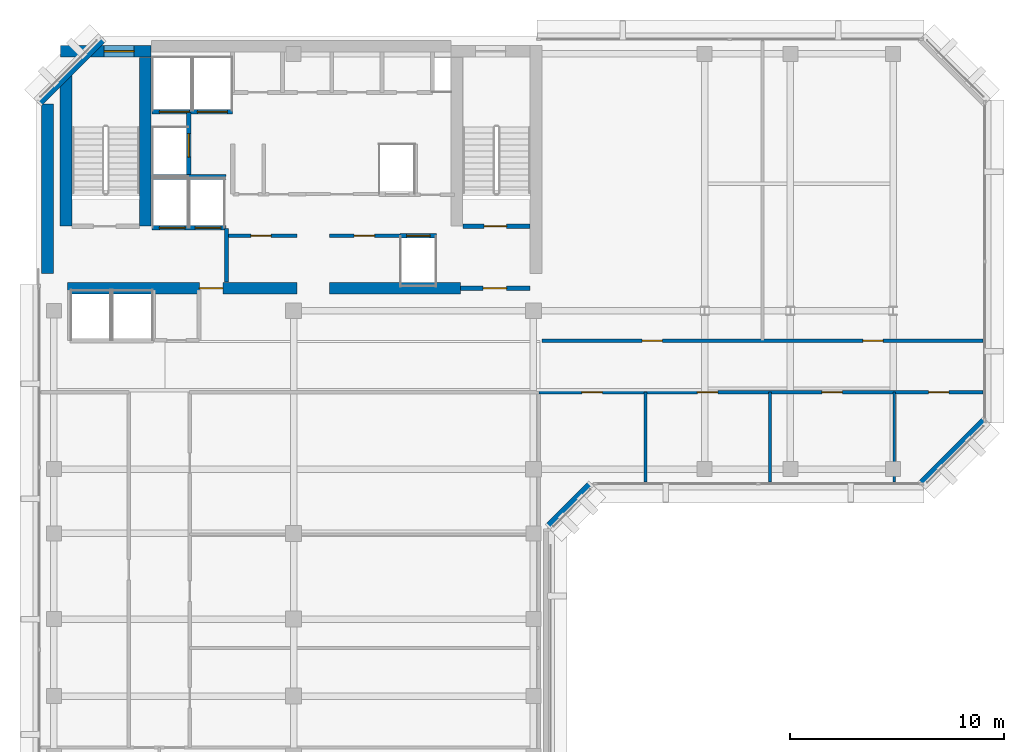
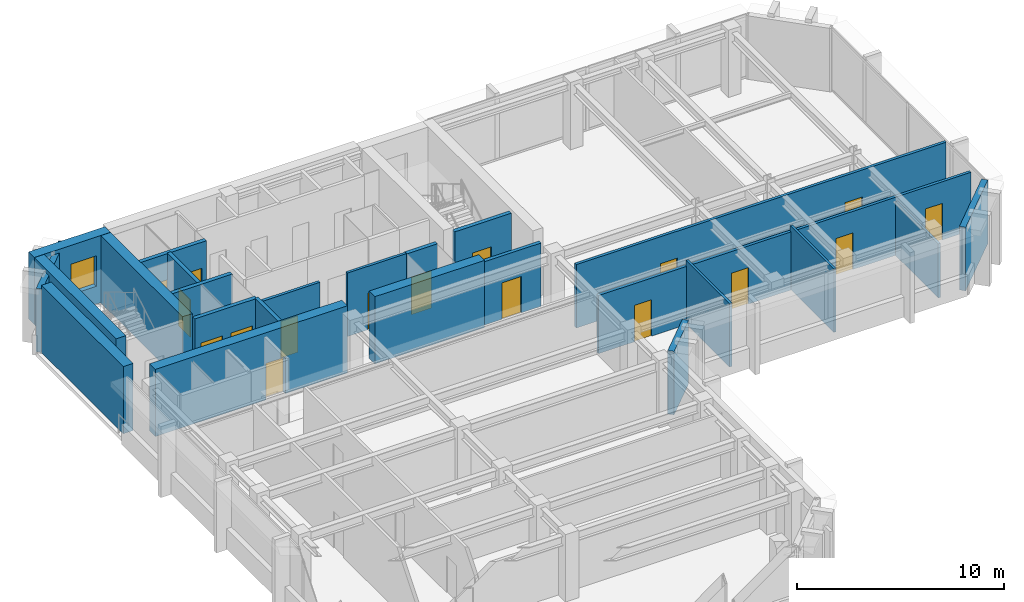
# One storey, part 7 of 12: 24 walls, 17 doors, 1 window, 18 openings.
"""IFC4 building model written with IfcOpenShell, lengths in metres."""

from ifc_helpers import new_model, si_unit, direction, frame, frame_2d, origin, place, context, subcontext, project, spatial, rectangle, extrude, material, layer, layer_set, type_object, element, fill, save


model = new_model("IFC4")

# Units and contexts
model_context = context("Model", 3, precision=1e-05, world=origin(), true_north=direction((0.0, 1.0)))
body_context = subcontext(model_context, "Body", "Model", "MODEL_VIEW")
ifc_project = project(units=[si_unit("LENGTHUNIT", "METRE"), si_unit("AREAUNIT", "SQUARE_METRE"), si_unit("VOLUMEUNIT", "CUBIC_METRE"), si_unit("PLANEANGLEUNIT", "RADIAN"), si_unit("MASSUNIT", "GRAM", prefix="KILO")], contexts=[model_context])

# Site, building, storey
site_placement = place(None, origin())
site = spatial("IfcSite", under=ifc_project, at=site_placement, CompositionType="ELEMENT")
building_placement = place(site_placement, origin())
building = spatial("IfcBuilding", under=site, at=building_placement, Name="Kefirva Bronze Tower", CompositionType="ELEMENT")
storey_placement = place(building_placement, frame((0.0, 0.0, 280.169921875)))
storey = spatial("IfcBuildingStorey", under=building, at=storey_placement, Name="L68", CompositionType="ELEMENT", Elevation=280.169921875)

# Walls
ifc_material_1 = material(Name="Gypsum acoustic partition")
ifc_layer_1 = layer(ifc_material_1, 0.1298828125, Name="Gypsum acoustic partition")
ifc_layer_set_1 = layer_set([ifc_layer_1], Name="Gypsum acoustic partition")
wall_type_1 = type_object("IfcWallType", Name="Acoustic Office Partition 130mm", PredefinedType="PARTITIONING", material=ifc_layer_set_1)
for number, where, z_axis, x_axis, name in (
    (1, (28.432373046875, 25.18994140625, 0.0), (0.0, 0.0, 1.0), (0.0, 1.0, 0.0), "L68 Partition W-L68-ESD1"),
    (2, (34.2451171875, 25.18994140625, 0.0), (0.0, 0.0, 1.0), (0.0, 1.0, 0.0), "L68 Partition W-L68-ESD2"),
):
    element("IfcWall", number, at=place(storey_placement, frame(where, z_axis=z_axis, x_axis=x_axis)), inside=storey, type_object=wall_type_1, Name=name, PredefinedType="PARTITIONING", context=body_context, shape_type="SweptSolid", body=[
        extrude(rectangle(XDim=4.2099609375, YDim=0.1298828125, at=frame_2d((2.10498046875, 0.0))), origin(), (0.0, 0.0, 1.0), 3.739990234375),
    ])
wall_1_placement = place(storey_placement, frame((40.05810546875, 25.18994140625, 0.0), z_axis=(0.0, 0.0, 1.0), x_axis=(0.0, 1.0, 0.0)))
element("IfcWall", 3, at=wall_1_placement, inside=storey, type_object=wall_type_1, Name="L68 Partition W-L68-ESD3", PredefinedType="PARTITIONING", context=body_context, shape_type="SweptSolid", body=[
    extrude(rectangle(XDim=4.2099609375, YDim=0.1298828125, at=frame_2d((2.10498046875, 0.0))), origin(), (0.0, 0.0, 1.0), 3.175048828125),
])

# Wall, opening, door
ifc_layer_2 = layer(ifc_material_1, 0.14990234375, Name="Gypsum acoustic partition")
ifc_layer_set_2 = layer_set([ifc_layer_2], Name="Gypsum acoustic partition")
wall_type_2 = type_object("IfcWallType", Name="Executive Suite Partition 150mm", PredefinedType="PARTITIONING", material=ifc_layer_set_2)
wall_2_placement = place(storey_placement, frame((13.679931640625, 36.699951171875, 0.0), z_axis=(0.0, 0.0, 1.0), x_axis=(1.0, 0.0, 0.0)))
wall_2 = element("IfcWall", 4, at=wall_2_placement, inside=storey, type_object=wall_type_2, Name="L68 Partition W-L68-RECMP1", PredefinedType="PARTITIONING", context=body_context, shape_type="SweptSolid", body=[
    extrude(rectangle(XDim=3.280029296875, YDim=0.14990234375, at=frame_2d((1.64013671875, 0.0))), origin(), (0.0, 0.0, 1.0), 3.739990234375),
])
opening_1_placement = place(wall_2_placement, frame((1.14990234375, 0.0, 0.0)))
opening_1 = element("IfcOpeningElement", 5, at=opening_1_placement, cuts=wall_2, Name="Opening L68-D-RECMP1", PredefinedType="OPENING", context=body_context, shape_type="SweptSolid", body=[
    extrude(rectangle(XDim=0.949951171875, YDim=2.14990234375, at=frame_2d((0.47509765625, 1.074951171875))), frame((0.0, 0.0849609375, 0.0), z_axis=(0.0, -1.0, 0.0), x_axis=(1.0, 0.0, 0.0)), (0.0, 0.0, 1.0), 0.169921875),
])
ifc_material_2 = material(Name="Acoustic hardwood oak", Category="wood")
door_type_1 = type_object("IfcDoorType", Name="Office & Meeting Room Door 950x2150", OperationType="NOTDEFINED", PredefinedType="DOOR", material=ifc_material_2)
door_1_placement = place(opening_1_placement, origin())
door_1 = element("IfcDoor", 6, at=door_1_placement, inside=storey, type_object=door_type_1, Name="Door L68-D-RECMP1", OperationType="SINGLE_SWING_LEFT", OverallHeight=2.14990234375, OverallWidth=0.949951171875, PredefinedType="DOOR", context=body_context, shape_type="SweptSolid", body=[
    extrude(rectangle(XDim=0.949951171875, YDim=2.14990234375, at=frame_2d((0.47509765625, 1.074951171875))), frame((0.0, 0.02490234375, 0.0), z_axis=(0.0, -1.0, 0.0), x_axis=(1.0, 0.0, 0.0)), (0.0, 0.0, 1.0), 0.050048828125),
])
fill(opening_1, door_1)

ifc_material_3 = material(Name="Gypsum fireboard shaftwall")
ifc_layer_3 = layer(ifc_material_3, 0.219970703125, Name="Gypsum fireboard shaftwall")
ifc_layer_set_3 = layer_set([ifc_layer_3], Name="Gypsum fireboard shaftwall")
wall_type_3 = type_object("IfcWallType", Name="Fire-Rated Shaft Enclosure Wall 220mm", PredefinedType="PARTITIONING", material=ifc_layer_set_3)
wall_3_placement = place(storey_placement, frame((19.89990234375, 37.14990234375, 0.0), z_axis=(0.0, 0.0, 1.0), x_axis=(1.0, 0.0, 0.0)))
wall_3 = element("IfcWall", 7, at=wall_3_placement, inside=storey, type_object=wall_type_3, Name="L68 Partition W-L68-ST2S", PredefinedType="PARTITIONING", context=body_context, shape_type="SweptSolid", body=[
    extrude(rectangle(XDim=3.150146484375, YDim=0.219970703125, at=frame_2d((1.5751953125, 0.0))), origin(), (0.0, 0.0, 1.0), 3.739990234375),
])
opening_2_placement = place(wall_3_placement, frame((2.050048828125, 0.0, 0.0), z_axis=(0.0, 0.0, 1.0), x_axis=(-1.0, 0.0, 0.0)))
opening_2 = element("IfcOpeningElement", 8, at=opening_2_placement, cuts=wall_3, Name="Opening L68-D003", PredefinedType="OPENING", context=body_context, shape_type="SweptSolid", body=[
    extrude(rectangle(XDim=1.050048828125, YDim=2.14990234375, at=frame_2d((0.52490234375, 1.074951171875))), frame((0.0, 0.1201171875, 0.0), z_axis=(0.0, -1.0, 0.0), x_axis=(1.0, 0.0, 0.0)), (0.0, 0.0, 1.0), 0.239990234375),
])
ifc_material_4 = material(Name="Painted galvanized steel", Category="steel")
door_type_2 = type_object("IfcDoorType", Name="Fire Stair Enclosure Door 1050x2150 FD90S", OperationType="NOTDEFINED", PredefinedType="DOOR", material=ifc_material_4)
door_2_placement = place(opening_2_placement, origin())
door_2 = element("IfcDoor", 9, at=door_2_placement, inside=storey, type_object=door_type_2, Name="Door L68-D003", OperationType="SINGLE_SWING_RIGHT", OverallHeight=2.14990234375, OverallWidth=1.050048828125, PredefinedType="DOOR", context=body_context, shape_type="SweptSolid", body=[
    extrude(rectangle(XDim=1.050048828125, YDim=2.14990234375, at=frame_2d((0.52490234375, 1.074951171875))), frame((0.0, 0.02490234375, 0.0), z_axis=(0.0, -1.0, 0.0), x_axis=(1.0, 0.0, 0.0)), (0.0, 0.0, 1.0), 0.050048828125),
])
fill(opening_2, door_2)

# Wall, openings, doors
wall_4_placement = place(storey_placement, frame((5.3798828125, 37.080078125, 0.0), z_axis=(0.0, 0.0, 1.0), x_axis=(1.0, 0.0, 0.0)))
wall_4 = element("IfcWall", 10, at=wall_4_placement, inside=storey, type_object=wall_type_3, Name="L68 Partition W-L68-FFS", PredefinedType="PARTITIONING", context=body_context, shape_type="SweptSolid", body=[
    extrude(rectangle(XDim=3.460205078125, YDim=0.219970703125, at=frame_2d((1.72998046875, 0.0))), origin(), (0.0, 0.0, 1.0), 3.739990234375),
])
opening_3_placement = place(wall_4_placement, frame((1.550048828125, 0.0, 0.0), z_axis=(0.0, 0.0, 1.0), x_axis=(-1.0, 0.0, 0.0)))
opening_3 = element("IfcOpeningElement", 11, at=opening_3_placement, cuts=wall_4, Name="Opening L68-LD-FF1", PredefinedType="OPENING", context=body_context, shape_type="SweptSolid", body=[
    extrude(rectangle(XDim=1.199951171875, YDim=2.199951171875, at=frame_2d((0.60009765625, 1.10009765625))), frame((0.0, 0.1201171875, 0.0), z_axis=(0.0, -1.0, 0.0), x_axis=(1.0, 0.0, 0.0)), (0.0, 0.0, 1.0), 0.239990234375),
])
opening_4_placement = place(wall_4_placement, frame((3.219970703125, 0.0, 0.0), z_axis=(0.0, 0.0, 1.0), x_axis=(-1.0, 0.0, 0.0)))
opening_4 = element("IfcOpeningElement", 12, at=opening_4_placement, cuts=wall_4, Name="Opening L68-LD-FF2", PredefinedType="OPENING", context=body_context, shape_type="SweptSolid", body=[
    extrude(rectangle(XDim=1.199951171875, YDim=2.199951171875, at=frame_2d((0.60009765625, 1.10009765625))), frame((0.0, 0.1201171875, 0.0), z_axis=(0.0, -1.0, 0.0), x_axis=(1.0, 0.0, 0.0)), (0.0, 0.0, 1.0), 0.239990234375),
])
ifc_material_5 = material(Name="Stainless steel 316", Category="steel")
door_type_3 = type_object("IfcDoorType", Name="Firefighting Lift Sliding Door 1200x2200", OperationType="SLIDING_TO_RIGHT", PredefinedType="DOOR", material=ifc_material_5)
door_3_placement = place(opening_3_placement, origin())
door_3 = element("IfcDoor", 13, at=door_3_placement, inside=storey, type_object=door_type_3, Name="Door L68-LD-FF1", OperationType="SLIDING_TO_RIGHT", OverallHeight=2.199951171875, OverallWidth=1.199951171875, PredefinedType="DOOR", context=body_context, shape_type="SweptSolid", body=[
    extrude(rectangle(XDim=1.199951171875, YDim=2.199951171875, at=frame_2d((0.60009765625, 1.10009765625))), frame((0.0, 0.02490234375, 0.0), z_axis=(0.0, -1.0, 0.0), x_axis=(1.0, 0.0, 0.0)), (0.0, 0.0, 1.0), 0.050048828125),
])
fill(opening_3, door_3)
door_4_placement = place(opening_4_placement, origin())
door_4 = element("IfcDoor", 14, at=door_4_placement, inside=storey, type_object=door_type_3, Name="Door L68-LD-FF2", OperationType="SLIDING_TO_RIGHT", OverallHeight=2.199951171875, OverallWidth=1.199951171875, PredefinedType="DOOR", context=body_context, shape_type="SweptSolid", body=[
    extrude(rectangle(XDim=1.199951171875, YDim=2.199951171875, at=frame_2d((0.60009765625, 1.10009765625))), frame((0.0, 0.02490234375, 0.0), z_axis=(0.0, -1.0, 0.0), x_axis=(1.0, 0.0, 0.0)), (0.0, 0.0, 1.0), 0.050048828125),
])
fill(opening_4, door_4)

# Wall
wall_5_placement = place(storey_placement, frame((5.3798828125, 39.449951171875, 0.0), z_axis=(0.0, 0.0, 1.0), x_axis=(1.0, 0.0, 0.0)))
element("IfcWall", 15, at=wall_5_placement, inside=storey, type_object=wall_type_3, Name="L68 Partition W-L68-FFN", PredefinedType="PARTITIONING", context=body_context, shape_type="SweptSolid", body=[
    extrude(rectangle(XDim=3.460205078125, YDim=0.219970703125, at=frame_2d((1.72998046875, 0.0))), origin(), (0.0, 0.0, 1.0), 3.739990234375),
])

# Wall, openings, doors
wall_6_placement = place(storey_placement, frame((5.3798828125, 42.5, 0.0), z_axis=(0.0, 0.0, 1.0), x_axis=(1.0, 0.0, 0.0)))
wall_6 = element("IfcWall", 16, at=wall_6_placement, inside=storey, type_object=wall_type_3, Name="L68 Partition W-L68-SVS", PredefinedType="PARTITIONING", context=body_context, shape_type="SweptSolid", body=[
    extrude(rectangle(XDim=3.77001953125, YDim=0.219970703125, at=frame_2d((1.885009765625, 0.0))), origin(), (0.0, 0.0, 1.0), 3.739990234375),
])
opening_5_placement = place(wall_6_placement, frame((1.75, 0.0, 0.0), z_axis=(0.0, 0.0, 1.0), x_axis=(-1.0, 0.0, 0.0)))
opening_5 = element("IfcOpeningElement", 17, at=opening_5_placement, cuts=wall_6, Name="Opening L68-LD-SV1", PredefinedType="OPENING", context=body_context, shape_type="SweptSolid", body=[
    extrude(rectangle(XDim=1.39990234375, YDim=2.199951171875, at=frame_2d((0.699951171875, 1.10009765625))), frame((0.0, 0.1201171875, 0.0), z_axis=(0.0, -1.0, 0.0), x_axis=(1.0, 0.0, 0.0)), (0.0, 0.0, 1.0), 0.239990234375),
])
opening_6_placement = place(wall_6_placement, frame((3.52978515625, 0.0, 0.0), z_axis=(0.0, 0.0, 1.0), x_axis=(-1.0, 0.0, 0.0)))
opening_6 = element("IfcOpeningElement", 18, at=opening_6_placement, cuts=wall_6, Name="Opening L68-LD-SV2", PredefinedType="OPENING", context=body_context, shape_type="SweptSolid", body=[
    extrude(rectangle(XDim=1.39990234375, YDim=2.199951171875, at=frame_2d((0.699951171875, 1.10009765625))), frame((0.0, 0.1201171875, 0.0), z_axis=(0.0, -1.0, 0.0), x_axis=(1.0, 0.0, 0.0)), (0.0, 0.0, 1.0), 0.239990234375),
])
door_type_4 = type_object("IfcDoorType", Name="Goods Lift Bi-Parting Sliding Door 1400x2200", OperationType="SLIDING_TO_LEFT", PredefinedType="DOOR", material=ifc_material_5)
door_5_placement = place(opening_5_placement, origin())
door_5 = element("IfcDoor", 19, at=door_5_placement, inside=storey, type_object=door_type_4, Name="Door L68-LD-SV1", OperationType="SLIDING_TO_LEFT", OverallHeight=2.199951171875, OverallWidth=1.39990234375, PredefinedType="DOOR", context=body_context, shape_type="SweptSolid", body=[
    extrude(rectangle(XDim=1.39990234375, YDim=2.199951171875, at=frame_2d((0.699951171875, 1.10009765625))), frame((0.0, 0.02490234375, 0.0), z_axis=(0.0, -1.0, 0.0), x_axis=(1.0, 0.0, 0.0)), (0.0, 0.0, 1.0), 0.050048828125),
])
fill(opening_5, door_5)
door_6_placement = place(opening_6_placement, origin())
door_6 = element("IfcDoor", 20, at=door_6_placement, inside=storey, type_object=door_type_4, Name="Door L68-LD-SV2", OperationType="SLIDING_TO_LEFT", OverallHeight=2.199951171875, OverallWidth=1.39990234375, PredefinedType="DOOR", context=body_context, shape_type="SweptSolid", body=[
    extrude(rectangle(XDim=1.39990234375, YDim=2.199951171875, at=frame_2d((0.699951171875, 1.10009765625))), frame((0.0, 0.02490234375, 0.0), z_axis=(0.0, -1.0, 0.0), x_axis=(1.0, 0.0, 0.0)), (0.0, 0.0, 1.0), 0.050048828125),
])
fill(opening_6, door_6)

# Wall, opening, door
wall_7_placement = place(storey_placement, frame((7.10009765625, 39.52001953125, 0.0), z_axis=(0.0, 0.0, 1.0), x_axis=(0.0, 1.0, 0.0)))
wall_7 = element("IfcWall", 21, at=wall_7_placement, inside=storey, type_object=wall_type_3, Name="L68 Partition W-L68-HP3E", PredefinedType="PARTITIONING", context=body_context, shape_type="SweptSolid", body=[
    extrude(rectangle(XDim=2.929931640625, YDim=0.219970703125, at=frame_2d((1.46484375, 0.0))), origin(), (0.0, 0.0, 1.0), 3.739990234375),
])
opening_7_placement = place(wall_7_placement, frame((0.85009765625, 0.0, 0.0)))
opening_7 = element("IfcOpeningElement", 22, at=opening_7_placement, cuts=wall_7, Name="Opening L68-LD-HP3", PredefinedType="OPENING", context=body_context, shape_type="SweptSolid", body=[
    extrude(rectangle(XDim=1.10009765625, YDim=2.199951171875, at=frame_2d((0.550048828125, 1.10009765625))), frame((0.0, 0.1201171875, 0.0), z_axis=(0.0, -1.0, 0.0), x_axis=(1.0, 0.0, 0.0)), (0.0, 0.0, 1.0), 0.239990234375),
])
door_type_5 = type_object("IfcDoorType", Name="Passenger Lift Sliding Landing Door 1100x2200", OperationType="SLIDING_TO_LEFT", PredefinedType="DOOR", material=ifc_material_5)
door_7_placement = place(opening_7_placement, origin())
door_7 = element("IfcDoor", 23, at=door_7_placement, inside=storey, type_object=door_type_5, Name="Door L68-LD-HP3", OperationType="SLIDING_TO_LEFT", OverallHeight=2.199951171875, OverallWidth=1.10009765625, PredefinedType="DOOR", context=body_context, shape_type="SweptSolid", body=[
    extrude(rectangle(XDim=1.10009765625, YDim=2.199951171875, at=frame_2d((0.550048828125, 1.10009765625))), frame((0.0, 0.02490234375, 0.0), z_axis=(0.0, -1.0, 0.0), x_axis=(1.0, 0.0, 0.0)), (0.0, 0.0, 1.0), 0.050048828125),
])
fill(opening_7, door_7)

wall_8_placement = place(storey_placement, frame((16.97998046875, 36.699951171875, 0.0), z_axis=(0.0, 0.0, 1.0), x_axis=(1.0, 0.0, 0.0)))
wall_8 = element("IfcWall", 24, at=wall_8_placement, inside=storey, type_object=wall_type_3, Name="L68 Partition W-L68-HPS", PredefinedType="PARTITIONING", context=body_context, shape_type="SweptSolid", body=[
    extrude(rectangle(XDim=1.699951171875, YDim=0.219970703125, at=frame_2d((0.85009765625, 0.0))), origin(), (0.0, 0.0, 1.0), 3.739990234375),
])
opening_8_placement = place(wall_8_placement, frame((0.300048828125, 0.0, 0.0)))
opening_8 = element("IfcOpeningElement", 25, at=opening_8_placement, cuts=wall_8, Name="Opening L68-LD-HP1", PredefinedType="OPENING", context=body_context, shape_type="SweptSolid", body=[
    extrude(rectangle(XDim=1.10009765625, YDim=2.199951171875, at=frame_2d((0.550048828125, 1.10009765625))), frame((0.0, 0.1201171875, 0.0), z_axis=(0.0, -1.0, 0.0), x_axis=(1.0, 0.0, 0.0)), (0.0, 0.0, 1.0), 0.239990234375),
])
door_8_placement = place(opening_8_placement, origin())
door_8 = element("IfcDoor", 26, at=door_8_placement, inside=storey, type_object=door_type_5, Name="Door L68-LD-HP1", OperationType="SLIDING_TO_LEFT", OverallHeight=2.199951171875, OverallWidth=1.10009765625, PredefinedType="DOOR", context=body_context, shape_type="SweptSolid", body=[
    extrude(rectangle(XDim=1.10009765625, YDim=2.199951171875, at=frame_2d((0.550048828125, 1.10009765625))), frame((0.0, 0.02490234375, 0.0), z_axis=(0.0, -1.0, 0.0), x_axis=(1.0, 0.0, 0.0)), (0.0, 0.0, 1.0), 0.050048828125),
])
fill(opening_8, door_8)

# Wall
ifc_material_6 = material(Name="Gypsum fireboard barrier")
ifc_layer_4 = layer(ifc_material_6, 0.199951171875, Name="Gypsum fireboard barrier")
ifc_layer_set_4 = layer_set([ifc_layer_4], Name="Gypsum fireboard barrier")
wall_type_4 = type_object("IfcWallType", Name="Firefighting Lobby Barrier Wall 200mm", PredefinedType="PARTITIONING", material=ifc_layer_set_4)
wall_9_placement = place(storey_placement, frame((8.860107421875, 34.550048828125, 0.0), z_axis=(0.0, 0.0, 1.0), x_axis=(0.0, 1.0, 0.0)))
element("IfcWall", 27, at=wall_9_placement, inside=storey, type_object=wall_type_4, Name="L68 Partition W-L68-FFLE", PredefinedType="PARTITIONING", context=body_context, shape_type="SweptSolid", body=[
    extrude(rectangle(XDim=2.5, YDim=0.199951171875, at=frame_2d((1.25, 0.0))), origin(), (0.0, 0.0, 1.0), 3.739990234375),
])

# Wall, opening, door
wall_10_placement = place(storey_placement, frame((19.800048828125, 34.25, 0.0), z_axis=(0.0, 0.0, 1.0), x_axis=(1.0, 0.0, 0.0)))
wall_10 = element("IfcWall", 28, at=wall_10_placement, inside=storey, type_object=wall_type_4, Name="L68 Partition W-L68-ST2F", PredefinedType="PARTITIONING", context=body_context, shape_type="SweptSolid", body=[
    extrude(rectangle(XDim=3.25, YDim=0.199951171875, at=frame_2d((1.625, 0.0))), origin(), (0.0, 0.0, 1.0), 3.739990234375),
])
opening_9_placement = place(wall_10_placement, frame((2.150146484375, 0.0, 0.0), z_axis=(0.0, 0.0, 1.0), x_axis=(-1.0, 0.0, 0.0)))
opening_9 = element("IfcOpeningElement", 29, at=opening_9_placement, cuts=wall_10, Name="Opening L68-D004", PredefinedType="OPENING", context=body_context, shape_type="SweptSolid", body=[
    extrude(rectangle(XDim=1.10009765625, YDim=2.14990234375, at=frame_2d((0.550048828125, 1.074951171875))), frame((0.0, 0.10986328125, 0.0), z_axis=(0.0, -1.0, 0.0), x_axis=(1.0, 0.0, 0.0)), (0.0, 0.0, 1.0), 0.219970703125),
])
door_type_6 = type_object("IfcDoorType", Name="Firefighting Lobby Smoke Door 1100x2150 FD60S", OperationType="NOTDEFINED", PredefinedType="DOOR", material=ifc_material_4)
door_9_placement = place(opening_9_placement, origin())
door_9 = element("IfcDoor", 30, at=door_9_placement, inside=storey, type_object=door_type_6, Name="Door L68-D004", OperationType="SINGLE_SWING_LEFT", OverallHeight=2.14990234375, OverallWidth=1.10009765625, PredefinedType="DOOR", context=body_context, shape_type="SweptSolid", body=[
    extrude(rectangle(XDim=1.10009765625, YDim=2.14990234375, at=frame_2d((0.550048828125, 1.074951171875))), frame((0.0, 0.02490234375, 0.0), z_axis=(0.0, -1.0, 0.0), x_axis=(1.0, 0.0, 0.0)), (0.0, 0.0, 1.0), 0.050048828125),
])
fill(opening_9, door_9)

# Walls
ifc_material_7 = material(Name="Precast concrete C40/50", Category="concrete")
ifc_layer_5 = layer(ifc_material_7, 0.320068359375, Name="Precast concrete C40/50")
ifc_layer_set_5 = layer_set([ifc_layer_5], Name="Precast concrete C40/50")
wall_type_5 = type_object("IfcWallType", Name="Precast Insulated Exterior Wall 320mm", PredefinedType="SOLIDWALL", material=ifc_layer_set_5)
wall_11_placement = place(storey_placement, frame((23.92578125, 23.152099609375, 0.0), z_axis=(0.0, 0.0, 1.0), x_axis=(0.707106781187, 0.707106781187, 0.0)))
element("IfcWall", 31, at=wall_11_placement, inside=storey, type_object=wall_type_5, Name="L68 Exterior Facade Wall 6", PredefinedType="SOLIDWALL", context=body_context, shape_type="SweptSolid", body=[
    extrude(rectangle(XDim=2.71826171875, YDim=0.320068359375, at=frame_2d((1.359130859375, 0.0))), origin(), (0.0, 0.0, 1.0), 3.739990234375),
])
for number, where, z_axis, x_axis, name in (
    (32, (41.32568359375, 25.152099609375, 0.0), (0.0, 0.0, 1.0), (0.707136318428, 0.707077242712, 0.0), "L68 Exterior Facade Wall 7"),
    (33, (3.07421875, 45.847900390625, 0.0), (0.0, 0.0, 1.0), (-0.707106781187, -0.707106781187, 0.0), "L68 Exterior Facade Wall 9"),
):
    element("IfcWall", number, at=place(storey_placement, frame(where, z_axis=z_axis, x_axis=x_axis)), inside=storey, type_object=wall_type_5, Name=name, PredefinedType="SOLIDWALL", context=body_context, shape_type="SweptSolid", body=[
        extrude(rectangle(XDim=4.132568359375, YDim=0.320068359375, at=frame_2d((2.06640625, 0.0))), origin(), (0.0, 0.0, 1.0), 3.739990234375),
    ])

# Wall, opening, door
ifc_layer_6 = layer(ifc_material_1, 0.159912109375, Name="Gypsum acoustic partition")
ifc_layer_set_6 = layer_set([ifc_layer_6], Name="Gypsum acoustic partition")
wall_type_6 = type_object("IfcWallType", Name="Protected Corridor Partition 160mm", PredefinedType="PARTITIONING", material=ifc_layer_set_6)
wall_12_placement = place(storey_placement, frame((8.89990234375, 36.699951171875, 0.0), z_axis=(0.0, 0.0, 1.0), x_axis=(1.0, 0.0, 0.0)))
wall_12 = element("IfcWall", 34, at=wall_12_placement, inside=storey, type_object=wall_type_6, Name="L68 Partition W-L68-RECLP1", PredefinedType="PARTITIONING", context=body_context, shape_type="SweptSolid", body=[
    extrude(rectangle(XDim=3.25, YDim=0.159912109375, at=frame_2d((1.625, 0.0))), origin(), (0.0, 0.0, 1.0), 3.739990234375),
])
opening_10_placement = place(wall_12_placement, frame((1.10009765625, 0.0, 0.0)))
opening_10 = element("IfcOpeningElement", 35, at=opening_10_placement, cuts=wall_12, Name="Opening L68-D-RECLP1", PredefinedType="OPENING", context=body_context, shape_type="SweptSolid", body=[
    extrude(rectangle(XDim=0.949951171875, YDim=2.14990234375, at=frame_2d((0.47509765625, 1.074951171875))), frame((0.0, 0.08984375, 0.0), z_axis=(0.0, -1.0, 0.0), x_axis=(1.0, 0.0, 0.0)), (0.0, 0.0, 1.0), 0.179931640625),
])
door_10_placement = place(opening_10_placement, origin())
door_10 = element("IfcDoor", 36, at=door_10_placement, inside=storey, type_object=door_type_1, Name="Door L68-D-RECLP1", OperationType="SINGLE_SWING_RIGHT", OverallHeight=2.14990234375, OverallWidth=0.949951171875, PredefinedType="DOOR", context=body_context, shape_type="SweptSolid", body=[
    extrude(rectangle(XDim=0.949951171875, YDim=2.14990234375, at=frame_2d((0.47509765625, 1.074951171875))), frame((0.0, 0.02490234375, 0.0), z_axis=(0.0, -1.0, 0.0), x_axis=(1.0, 0.0, 0.0)), (0.0, 0.0, 1.0), 0.050048828125),
])
fill(opening_10, door_10)

# Wall, openings, doors
wall_13_placement = place(storey_placement, frame((23.449951171875, 29.39990234375, 0.0), z_axis=(0.0, 0.0, 1.0), x_axis=(1.0, 0.0, 0.0)))
wall_13 = element("IfcWall", 37, at=wall_13_placement, inside=storey, type_object=wall_type_6, Name="L68 Partition W-L68-EWS", PredefinedType="PARTITIONING", context=body_context, shape_type="SweptSolid", body=[
    extrude(rectangle(XDim=20.760009765625, YDim=0.159912109375, at=frame_2d((10.3798828125, 0.0))), origin(), (0.0, 0.0, 1.0), 3.425048828125),
])
opening_11_placement = place(wall_13_placement, frame((2.966064453125, 0.0, 0.0), z_axis=(0.0, 0.0, 1.0), x_axis=(-1.0, 0.0, 0.0)))
opening_11 = element("IfcOpeningElement", 38, at=opening_11_placement, cuts=wall_13, Name="Opening L68-D-ES1", PredefinedType="OPENING", context=body_context, shape_type="SweptSolid", body=[
    extrude(rectangle(XDim=0.949951171875, YDim=2.14990234375, at=frame_2d((0.47509765625, 1.074951171875))), frame((0.0, 0.08984375, 0.0), z_axis=(0.0, -1.0, 0.0), x_axis=(1.0, 0.0, 0.0)), (0.0, 0.0, 1.0), 0.179931640625),
])
opening_12_placement = place(wall_13_placement, frame((8.36376953125, 0.0, 0.0), z_axis=(0.0, 0.0, 1.0), x_axis=(-1.0, 0.0, 0.0)))
opening_12 = element("IfcOpeningElement", 39, at=opening_12_placement, cuts=wall_13, Name="Opening L68-D-ES2", PredefinedType="OPENING", context=body_context, shape_type="SweptSolid", body=[
    extrude(rectangle(XDim=0.949951171875, YDim=2.14990234375, at=frame_2d((0.47509765625, 1.074951171875))), frame((0.0, 0.08984375, 0.0), z_axis=(0.0, -1.0, 0.0), x_axis=(1.0, 0.0, 0.0)), (0.0, 0.0, 1.0), 0.179931640625),
])
opening_13_placement = place(wall_13_placement, frame((14.176513671875, 0.0, 0.0), z_axis=(0.0, 0.0, 1.0), x_axis=(-1.0, 0.0, 0.0)))
opening_13 = element("IfcOpeningElement", 40, at=opening_13_placement, cuts=wall_13, Name="Opening L68-D-ES3", PredefinedType="OPENING", context=body_context, shape_type="SweptSolid", body=[
    extrude(rectangle(XDim=0.949951171875, YDim=2.14990234375, at=frame_2d((0.47509765625, 1.074951171875))), frame((0.0, 0.08984375, 0.0), z_axis=(0.0, -1.0, 0.0), x_axis=(1.0, 0.0, 0.0)), (0.0, 0.0, 1.0), 0.179931640625),
])
opening_14_placement = place(wall_13_placement, frame((19.158935546875, 0.0, 0.0), z_axis=(0.0, 0.0, 1.0), x_axis=(-1.0, 0.0, 0.0)))
opening_14 = element("IfcOpeningElement", 41, at=opening_14_placement, cuts=wall_13, Name="Opening L68-D-ES4", PredefinedType="OPENING", context=body_context, shape_type="SweptSolid", body=[
    extrude(rectangle(XDim=0.949951171875, YDim=2.14990234375, at=frame_2d((0.47509765625, 1.074951171875))), frame((0.0, 0.08984375, 0.0), z_axis=(0.0, -1.0, 0.0), x_axis=(1.0, 0.0, 0.0)), (0.0, 0.0, 1.0), 0.179931640625),
])
door_11_placement = place(opening_11_placement, origin())
door_11 = element("IfcDoor", 42, at=door_11_placement, inside=storey, type_object=door_type_1, Name="Door L68-D-ES1", OperationType="SINGLE_SWING_LEFT", OverallHeight=2.14990234375, OverallWidth=0.949951171875, PredefinedType="DOOR", context=body_context, shape_type="SweptSolid", body=[
    extrude(rectangle(XDim=0.949951171875, YDim=2.14990234375, at=frame_2d((0.47509765625, 1.074951171875))), frame((0.0, 0.02490234375, 0.0), z_axis=(0.0, -1.0, 0.0), x_axis=(1.0, 0.0, 0.0)), (0.0, 0.0, 1.0), 0.050048828125),
])
fill(opening_11, door_11)
door_12_placement = place(opening_12_placement, origin())
door_12 = element("IfcDoor", 43, at=door_12_placement, inside=storey, type_object=door_type_1, Name="Door L68-D-ES2", OperationType="SINGLE_SWING_RIGHT", OverallHeight=2.14990234375, OverallWidth=0.949951171875, PredefinedType="DOOR", context=body_context, shape_type="SweptSolid", body=[
    extrude(rectangle(XDim=0.949951171875, YDim=2.14990234375, at=frame_2d((0.47509765625, 1.074951171875))), frame((0.0, 0.02490234375, 0.0), z_axis=(0.0, -1.0, 0.0), x_axis=(1.0, 0.0, 0.0)), (0.0, 0.0, 1.0), 0.050048828125),
])
fill(opening_12, door_12)
door_13_placement = place(opening_13_placement, origin())
door_13 = element("IfcDoor", 44, at=door_13_placement, inside=storey, type_object=door_type_1, Name="Door L68-D-ES3", OperationType="SINGLE_SWING_LEFT", OverallHeight=2.14990234375, OverallWidth=0.949951171875, PredefinedType="DOOR", context=body_context, shape_type="SweptSolid", body=[
    extrude(rectangle(XDim=0.949951171875, YDim=2.14990234375, at=frame_2d((0.47509765625, 1.074951171875))), frame((0.0, 0.02490234375, 0.0), z_axis=(0.0, -1.0, 0.0), x_axis=(1.0, 0.0, 0.0)), (0.0, 0.0, 1.0), 0.050048828125),
])
fill(opening_13, door_13)
door_14_placement = place(opening_14_placement, origin())
door_14 = element("IfcDoor", 45, at=door_14_placement, inside=storey, type_object=door_type_1, Name="Door L68-D-ES4", OperationType="SINGLE_SWING_RIGHT", OverallHeight=2.14990234375, OverallWidth=0.949951171875, PredefinedType="DOOR", context=body_context, shape_type="SweptSolid", body=[
    extrude(rectangle(XDim=0.949951171875, YDim=2.14990234375, at=frame_2d((0.47509765625, 1.074951171875))), frame((0.0, 0.02490234375, 0.0), z_axis=(0.0, -1.0, 0.0), x_axis=(1.0, 0.0, 0.0)), (0.0, 0.0, 1.0), 0.050048828125),
])
fill(opening_14, door_14)

wall_14_placement = place(storey_placement, frame((23.60009765625, 31.800048828125, 0.0), z_axis=(0.0, 0.0, 1.0), x_axis=(1.0, 0.0, 0.0)))
wall_14 = element("IfcWall", 46, at=wall_14_placement, inside=storey, type_object=wall_type_6, Name="L68 Partition W-L68-EWN", PredefinedType="PARTITIONING", context=body_context, shape_type="SweptSolid", body=[
    extrude(rectangle(XDim=20.60986328125, YDim=0.159912109375, at=frame_2d((10.304931640625, 0.0))), origin(), (0.0, 0.0, 1.0), 3.739990234375),
])
opening_15_placement = place(wall_14_placement, frame((4.677490234375, 0.0, 0.0)))
opening_15 = element("IfcOpeningElement", 47, at=opening_15_placement, cuts=wall_14, Name="Opening L68-D-EN1", PredefinedType="OPENING", context=body_context, shape_type="SweptSolid", body=[
    extrude(rectangle(XDim=0.949951171875, YDim=2.14990234375, at=frame_2d((0.47509765625, 1.074951171875))), frame((0.0, 0.08984375, 0.0), z_axis=(0.0, -1.0, 0.0), x_axis=(1.0, 0.0, 0.0)), (0.0, 0.0, 1.0), 0.179931640625),
])
opening_16_placement = place(wall_14_placement, frame((14.982421875, 0.0, 0.0)))
opening_16 = element("IfcOpeningElement", 48, at=opening_16_placement, cuts=wall_14, Name="Opening L68-D-EN2", PredefinedType="OPENING", context=body_context, shape_type="SweptSolid", body=[
    extrude(rectangle(XDim=0.949951171875, YDim=2.14990234375, at=frame_2d((0.47509765625, 1.074951171875))), frame((0.0, 0.08984375, 0.0), z_axis=(0.0, -1.0, 0.0), x_axis=(1.0, 0.0, 0.0)), (0.0, 0.0, 1.0), 0.179931640625),
])
door_15_placement = place(opening_15_placement, origin())
door_15 = element("IfcDoor", 49, at=door_15_placement, inside=storey, type_object=door_type_1, Name="Door L68-D-EN1", OperationType="SINGLE_SWING_LEFT", OverallHeight=2.14990234375, OverallWidth=0.949951171875, PredefinedType="DOOR", context=body_context, shape_type="SweptSolid", body=[
    extrude(rectangle(XDim=0.949951171875, YDim=2.14990234375, at=frame_2d((0.47509765625, 1.074951171875))), frame((0.0, 0.02490234375, 0.0), z_axis=(0.0, -1.0, 0.0), x_axis=(1.0, 0.0, 0.0)), (0.0, 0.0, 1.0), 0.050048828125),
])
fill(opening_15, door_15)
door_16_placement = place(opening_16_placement, origin())
door_16 = element("IfcDoor", 50, at=door_16_placement, inside=storey, type_object=door_type_1, Name="Door L68-D-EN2", OperationType="SINGLE_SWING_RIGHT", OverallHeight=2.14990234375, OverallWidth=0.949951171875, PredefinedType="DOOR", context=body_context, shape_type="SweptSolid", body=[
    extrude(rectangle(XDim=0.949951171875, YDim=2.14990234375, at=frame_2d((0.47509765625, 1.074951171875))), frame((0.0, 0.02490234375, 0.0), z_axis=(0.0, -1.0, 0.0), x_axis=(1.0, 0.0, 0.0)), (0.0, 0.0, 1.0), 0.050048828125),
])
fill(opening_16, door_16)

# Wall
ifc_material_8 = material(Name="Concrete C50/60", Category="concrete")
ifc_layer_7 = layer(ifc_material_8, 0.550048828125, Name="Concrete C50/60")
ifc_layer_set_7 = layer_set([ifc_layer_7], Name="Concrete C50/60")
wall_type_7 = type_object("IfcWallType", Name="RC Rear Core Exterior Wall 550mm", PredefinedType="SHEAR", material=ifc_layer_set_7)
wall_15_placement = place(storey_placement, frame((0.5, 34.949951171875, 0.0), z_axis=(0.0, 0.0, 1.0), x_axis=(0.0, 1.0, 0.0)))
element("IfcWall", 51, at=wall_15_placement, inside=storey, type_object=wall_type_7, Name="L68 Rear Core West Shear Wall", PredefinedType="SHEAR", context=body_context, shape_type="SweptSolid", body=[
    extrude(rectangle(XDim=7.900146484375, YDim=0.550048828125, at=frame_2d((3.9501953125, 0.0))), origin(), (0.0, 0.0, 1.0), 3.9599609375),
])

# Wall, opening, window
wall_16_placement = place(storey_placement, frame((1.10009765625, 45.320068359375, 0.0), z_axis=(0.0, 0.0, 1.0), x_axis=(1.0, 0.0, 0.0)))
wall_16 = element("IfcWall", 52, at=wall_16_placement, inside=storey, type_object=wall_type_7, Name="L68 Stair 1 North Shear Wall", PredefinedType="SHEAR", context=body_context, shape_type="SweptSolid", body=[
    extrude(rectangle(XDim=4.239990234375, YDim=0.550048828125, at=frame_2d((2.1201171875, 0.0))), origin(), (0.0, 0.0, 1.0), 3.9599609375),
])
opening_17_placement = place(wall_16_placement, frame((2.050048828125, 0.0, 1.050048828125)))
opening_17 = element("IfcOpeningElement", 53, at=opening_17_placement, cuts=wall_16, Name="Opening WN-03", PredefinedType="OPENING", context=body_context, shape_type="SweptSolid", body=[
    extrude(rectangle(XDim=1.39990234375, YDim=1.800048828125, at=frame_2d((0.699951171875, 0.89990234375))), frame((0.0, 0.28515625, 0.0), z_axis=(0.0, -1.0, 0.0), x_axis=(1.0, 0.0, 0.0)), (0.0, 0.0, 1.0), 0.570068359375),
])
ifc_material_9 = material(Name="Laminated low-E double glazing", Category="glass")
window_type = type_object("IfcWindowType", Name="Rear-Core Stair Daylight Window 1400x1800", PartitioningType="SINGLE_PANEL", PredefinedType="WINDOW", material=ifc_material_9)
window_placement = place(opening_17_placement, origin())
window = element("IfcWindow", 54, at=window_placement, inside=storey, type_object=window_type, Name="L68 Stair 1 Daylight Window", OverallHeight=1.800048828125, OverallWidth=1.39990234375, PartitioningType="SINGLE_PANEL", PredefinedType="WINDOW", context=body_context, shape_type="SweptSolid", body=[
    extrude(rectangle(XDim=1.39990234375, YDim=1.800048828125, at=frame_2d((0.699951171875, 0.89990234375))), frame((0.0, 0.030029296875, 0.0), z_axis=(0.0, -1.0, 0.0), x_axis=(1.0, 0.0, 0.0)), (0.0, 0.0, 1.0), 0.06005859375),
])
fill(opening_17, window)

# Wall, opening, door
ifc_layer_8 = layer(ifc_material_8, 0.550048828125, Name="Concrete C50/60")
ifc_layer_set_8 = layer_set([ifc_layer_8], Name="Concrete C50/60")
wall_type_8 = type_object("IfcWallType", Name="RC Rear Core Interior Wall 550mm", PredefinedType="SHEAR", material=ifc_layer_set_8)
wall_17_placement = place(storey_placement, frame((1.449951171875, 34.25, 0.0), z_axis=(0.0, 0.0, 1.0), x_axis=(1.0, 0.0, 0.0)))
wall_17 = element("IfcWall", 55, at=wall_17_placement, inside=storey, type_object=wall_type_8, Name="L68 Rear Core South-West Shear Wall", PredefinedType="SHEAR", context=body_context, shape_type="SweptSolid", body=[
    extrude(rectangle(XDim=10.7099609375, YDim=0.550048828125, at=frame_2d((5.35498046875, 0.0))), origin(), (0.0, 0.0, 1.0), 3.9599609375),
])
opening_18_placement = place(wall_17_placement, frame((7.25, 0.0, 0.0), z_axis=(0.0, 0.0, 1.0), x_axis=(-1.0, 0.0, 0.0)))
opening_18 = element("IfcOpeningElement", 56, at=opening_18_placement, cuts=wall_17, Name="Opening L68-D002", PredefinedType="OPENING", context=body_context, shape_type="SweptSolid", body=[
    extrude(rectangle(XDim=1.10009765625, YDim=2.14990234375, at=frame_2d((0.550048828125, 1.074951171875))), frame((0.0, 0.28515625, 0.0), z_axis=(0.0, -1.0, 0.0), x_axis=(1.0, 0.0, 0.0)), (0.0, 0.0, 1.0), 0.570068359375),
])
door_17_placement = place(opening_18_placement, origin())
door_17 = element("IfcDoor", 57, at=door_17_placement, inside=storey, type_object=door_type_6, Name="Door L68-D002", OperationType="SINGLE_SWING_LEFT", OverallHeight=2.14990234375, OverallWidth=1.10009765625, PredefinedType="DOOR", context=body_context, shape_type="SweptSolid", body=[
    extrude(rectangle(XDim=1.10009765625, YDim=2.14990234375, at=frame_2d((0.550048828125, 1.074951171875))), frame((0.0, 0.02490234375, 0.0), z_axis=(0.0, -1.0, 0.0), x_axis=(1.0, 0.0, 0.0)), (0.0, 0.0, 1.0), 0.050048828125),
])
fill(opening_18, door_17)

# Walls
wall_18_placement = place(storey_placement, frame((13.679931640625, 34.25, 0.0), z_axis=(0.0, 0.0, 1.0), x_axis=(1.0, 0.0, 0.0)))
element("IfcWall", 58, at=wall_18_placement, inside=storey, type_object=wall_type_8, Name="L68 Rear Core South-East Shear Wall", PredefinedType="SHEAR", context=body_context, shape_type="SweptSolid", body=[
    extrude(rectangle(XDim=6.1201171875, YDim=0.550048828125, at=frame_2d((3.06005859375, 0.0))), origin(), (0.0, 0.0, 1.0), 3.9599609375),
])
for number, where, z_axis, x_axis, name in (
    (59, (1.3701171875, 37.14990234375, 0.0), (0.0, 0.0, 1.0), (0.0, 1.0, 0.0), "L68 Stair 1 West Shear Wall"),
    (60, (5.070068359375, 37.14990234375, 0.0), (0.0, 0.0, 1.0), (0.0, 1.0, 0.0), "L68 Stair 1 East Shear Wall"),
):
    element("IfcWall", number, at=place(storey_placement, frame(where, z_axis=z_axis, x_axis=x_axis)), inside=storey, type_object=wall_type_8, Name=name, PredefinedType="SHEAR", context=body_context, shape_type="SweptSolid", body=[
        extrude(rectangle(XDim=7.89013671875, YDim=0.550048828125, at=frame_2d((3.945068359375, 0.0))), origin(), (0.0, 0.0, 1.0), 3.9599609375),
    ])

save(model, "model.ifc")
